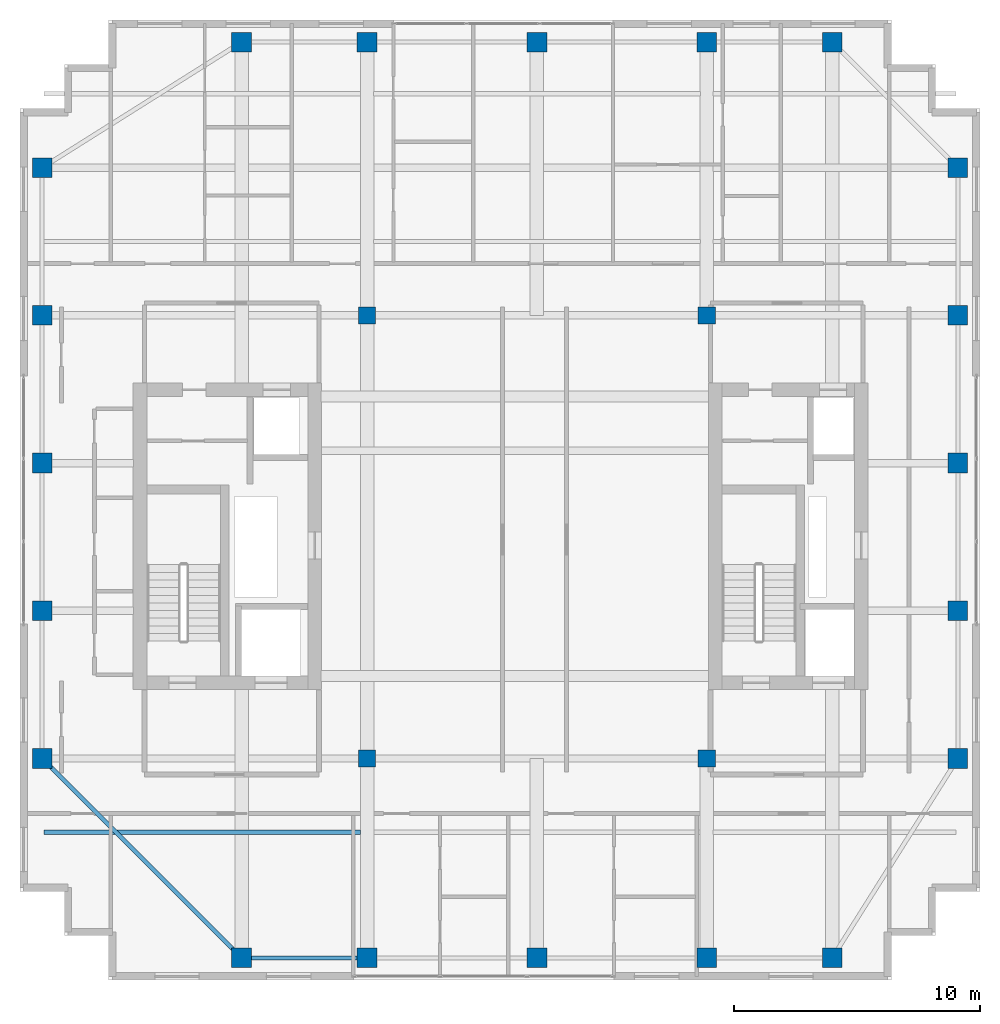
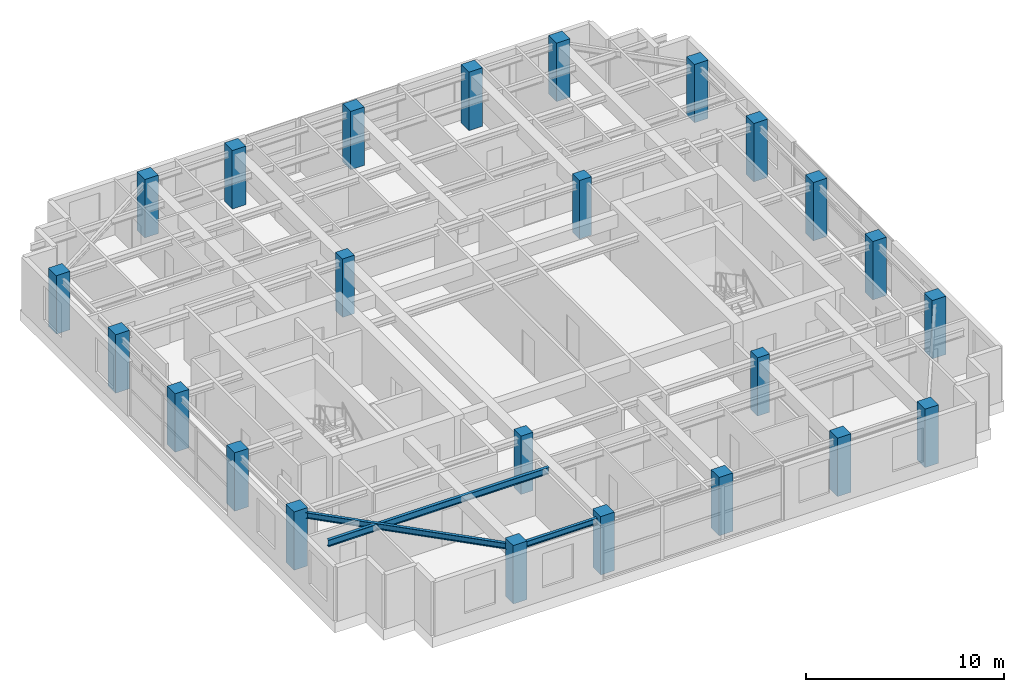
# One storey, part 1 of 21: 24 columns, 3 beams.
"""IFC4 building model written with IfcOpenShell, lengths in metres."""

from ifc_helpers import new_model, si_unit, direction, frame, origin, origin_2d, place, context, subcontext, project, spatial, rectangle, i_section, extrude, source, transform, mapped, material, material_profile, profile_set, type_object, element, save


model = new_model("IFC4")

# Units and contexts
model_context = context("Model", 3, precision=1e-05, world=origin(), true_north=direction((0.0, 1.0)))
body_context = subcontext(model_context, "Body", "Model", "MODEL_VIEW")
ifc_project = project(units=[si_unit("LENGTHUNIT", "METRE"), si_unit("AREAUNIT", "SQUARE_METRE"), si_unit("VOLUMEUNIT", "CUBIC_METRE"), si_unit("PLANEANGLEUNIT", "RADIAN"), si_unit("MASSUNIT", "GRAM", prefix="KILO")], contexts=[model_context])

# Site, building, storey
site_placement = place(None, origin())
site = spatial("IfcSite", under=ifc_project, at=site_placement, CompositionType="ELEMENT")
building_placement = place(site_placement, origin())
building = spatial("IfcBuilding", under=site, at=building_placement, Name="Khoralis Quay Care Tower", CompositionType="ELEMENT")
storey_placement = place(building_placement, frame((0.0, 0.0, 267.300048828125)))
storey = spatial("IfcBuildingStorey", under=building, at=storey_placement, Name="L70", CompositionType="ELEMENT", Elevation=267.300048828125)

# Columns
ifc_material_1 = material(Name="Concrete C50/60", Category="concrete")
ifc_material_profile_1 = material_profile(ifc_material_1, rectangle(XDim=0.800048828125, YDim=0.800048828125, at=origin_2d()), Name="Concrete C50/60")
ifc_profile_set_1 = profile_set([ifc_material_profile_1], Name="Concrete C50/60")
column_type_1 = type_object("IfcColumnType", Name="COL-C800", PredefinedType="COLUMN", material=ifc_profile_set_1)
shared_shape_1 = source(origin(), body_context, "Body", "SweptSolid", [
    extrude(rectangle(XDim=0.800048828125, YDim=0.800048828125, at=origin_2d()), origin(), (0.0, 0.0, 1.0), 3.599853515625),
])
for number, where, z_axis, x_axis, name in (
    (1, (12.0, 3.89990234375, 0.0), (0.0, 0.0, 1.0), (1.0, 0.0, 0.0), "COL-TWR-L70-01"),
    (2, (12.0, 41.10009765625, 0.0), (0.0, 0.0, 1.0), (1.0, 0.0, 0.0), "COL-TWR-L70-02"),
    (3, (17.10009765625, 3.89990234375, 0.0), (0.0, 0.0, 1.0), (1.0, 0.0, 0.0), "COL-TWR-L70-03"),
    (4, (17.10009765625, 41.10009765625, 0.0), (0.0, 0.0, 1.0), (1.0, 0.0, 0.0), "COL-TWR-L70-04"),
    (5, (24.0, 3.89990234375, 0.0), (0.0, 0.0, 1.0), (1.0, 0.0, 0.0), "COL-TWR-L70-05"),
    (6, (24.0, 41.10009765625, 0.0), (0.0, 0.0, 1.0), (1.0, 0.0, 0.0), "COL-TWR-L70-06"),
    (7, (30.89990234375, 3.89990234375, 0.0), (0.0, 0.0, 1.0), (1.0, 0.0, 0.0), "COL-TWR-L70-07"),
    (8, (30.89990234375, 41.10009765625, 0.0), (0.0, 0.0, 1.0), (1.0, 0.0, 0.0), "COL-TWR-L70-08"),
    (9, (36.0, 3.89990234375, 0.0), (0.0, 0.0, 1.0), (1.0, 0.0, 0.0), "COL-TWR-L70-09"),
    (10, (36.0, 41.10009765625, 0.0), (0.0, 0.0, 1.0), (1.0, 0.0, 0.0), "COL-TWR-L70-10"),
    (11, (3.89990234375, 12.0, 0.0), (0.0, 0.0, 1.0), (1.0, 0.0, 0.0), "COL-TWR-L70-11"),
    (12, (41.10009765625, 12.0, 0.0), (0.0, 0.0, 1.0), (1.0, 0.0, 0.0), "COL-TWR-L70-12"),
    (13, (3.89990234375, 18.0, 0.0), (0.0, 0.0, 1.0), (1.0, 0.0, 0.0), "COL-TWR-L70-13"),
    (14, (41.10009765625, 18.0, 0.0), (0.0, 0.0, 1.0), (1.0, 0.0, 0.0), "COL-TWR-L70-14"),
    (15, (3.89990234375, 24.0, 0.0), (0.0, 0.0, 1.0), (1.0, 0.0, 0.0), "COL-TWR-L70-15"),
    (16, (41.10009765625, 24.0, 0.0), (0.0, 0.0, 1.0), (1.0, 0.0, 0.0), "COL-TWR-L70-16"),
    (17, (3.89990234375, 30.0, 0.0), (0.0, 0.0, 1.0), (1.0, 0.0, 0.0), "COL-TWR-L70-17"),
    (18, (41.10009765625, 30.0, 0.0), (0.0, 0.0, 1.0), (1.0, 0.0, 0.0), "COL-TWR-L70-18"),
    (19, (3.89990234375, 36.0, 0.0), (0.0, 0.0, 1.0), (1.0, 0.0, 0.0), "COL-TWR-L70-19"),
    (20, (41.10009765625, 36.0, 0.0), (0.0, 0.0, 1.0), (1.0, 0.0, 0.0), "COL-TWR-L70-20"),
):
    element("IfcColumn", number, at=place(storey_placement, frame(where, z_axis=z_axis, x_axis=x_axis)), inside=storey, type_object=column_type_1, Name=name, PredefinedType="COLUMN", context=body_context, shape_type="MappedRepresentation", body=[
        mapped(shared_shape_1, transform((0.0, 0.0, 0.0), scale=1.0)),
    ])
ifc_material_profile_2 = material_profile(ifc_material_1, rectangle(XDim=0.699951171875, YDim=0.699951171875, at=origin_2d()), Name="Concrete C50/60")
ifc_profile_set_2 = profile_set([ifc_material_profile_2], Name="Concrete C50/60")
column_type_2 = type_object("IfcColumnType", Name="COL-C700", PredefinedType="COLUMN", material=ifc_profile_set_2)
shared_shape_2 = source(origin(), body_context, "Body", "SweptSolid", [
    extrude(rectangle(XDim=0.699951171875, YDim=0.699951171875, at=origin_2d()), origin(), (0.0, 0.0, 1.0), 3.599853515625),
])
for number, where, z_axis, x_axis, name in (
    (21, (17.10009765625, 12.0, 0.0), (0.0, 0.0, 1.0), (1.0, 0.0, 0.0), "COL-TWR-L70-21"),
    (22, (17.10009765625, 30.0, 0.0), (0.0, 0.0, 1.0), (1.0, 0.0, 0.0), "COL-TWR-L70-22"),
    (23, (30.89990234375, 12.0, 0.0), (0.0, 0.0, 1.0), (1.0, 0.0, 0.0), "COL-TWR-L70-23"),
    (24, (30.89990234375, 30.0, 0.0), (0.0, 0.0, 1.0), (1.0, 0.0, 0.0), "COL-TWR-L70-24"),
):
    element("IfcColumn", number, at=place(storey_placement, frame(where, z_axis=z_axis, x_axis=x_axis)), inside=storey, type_object=column_type_2, Name=name, PredefinedType="COLUMN", context=body_context, shape_type="MappedRepresentation", body=[
        mapped(shared_shape_2, transform((0.0, 0.0, 0.0), scale=1.0)),
    ])

# Beams
ifc_material_2 = material(Name="Steel S355", Category="steel")
ifc_material_profile_3 = material_profile(ifc_material_2, i_section(OverallWidth=0.169921875, OverallDepth=0.360107421875, WebThickness=0.008056640625, FlangeThickness=0.0126953125, FilletRadius=0.01806640625, at=origin_2d()), Name="Steel S355")
ifc_profile_set_3 = profile_set([ifc_material_profile_3], Name="Steel S355")
beam_type_1 = type_object("IfcBeamType", Name="BM-IPE360", PredefinedType="SPANDREL", material=ifc_profile_set_3)
shared_shape_3 = source(origin(), body_context, "Body", "SweptSolid", [
    extrude(i_section(OverallWidth=0.169921875, OverallDepth=0.360107421875, WebThickness=0.008056640625, FlangeThickness=0.0126953125, FilletRadius=0.01806640625, at=origin_2d()), origin(), (0.0, 0.0, 1.0), 5.10009765625),
])
beam_1_placement = place(storey_placement, frame((12.0, 3.89990234375, 3.139892578125), z_axis=(1.0, 0.0, 0.0), x_axis=(0.0, 1.0, 0.0)))
element("IfcBeam", 25, at=beam_1_placement, inside=storey, type_object=beam_type_1, Name="BM-TSP-L70-01", PredefinedType="SPANDREL", context=body_context, shape_type="MappedRepresentation", body=[
    mapped(shared_shape_3, transform((0.0, 0.0, 0.0), scale=1.0)),
])
shared_shape_4 = source(origin(), body_context, "Body", "SweptSolid", [
    extrude(i_section(OverallWidth=0.169921875, OverallDepth=0.360107421875, WebThickness=0.008056640625, FlangeThickness=0.0126953125, FilletRadius=0.01806640625, at=origin_2d()), origin(), (0.0, 0.0, 1.0), 11.455322265625),
])
beam_2_placement = place(storey_placement, frame((12.0, 3.89990234375, 3.139892578125), z_axis=(-0.707106781187, 0.707106781187, 0.0), x_axis=(-0.707106781187, -0.707106781187, 0.0)))
element("IfcBeam", 26, at=beam_2_placement, inside=storey, type_object=beam_type_1, Name="BM-TCR-L70-17", PredefinedType="SPANDREL", context=body_context, shape_type="MappedRepresentation", body=[
    mapped(shared_shape_4, transform((0.0, 0.0, 0.0), scale=1.0)),
])
ifc_material_profile_4 = material_profile(ifc_material_2, i_section(OverallWidth=0.177978515625, OverallDepth=0.406982421875, WebThickness=0.0078125, FlangeThickness=0.0126953125, FilletRadius=0.012939453125, at=origin_2d()), Name="Steel S355")
ifc_profile_set_4 = profile_set([ifc_material_profile_4], Name="Steel S355")
beam_type_2 = type_object("IfcBeamType", Name="BM-W410X60", PredefinedType="JOIST", material=ifc_profile_set_4)
shared_shape_5 = source(origin(), body_context, "Body", "SweptSolid", [
    extrude(i_section(OverallWidth=0.177978515625, OverallDepth=0.406982421875, WebThickness=0.0078125, FlangeThickness=0.0126953125, FilletRadius=0.012939453125, at=origin_2d()), origin(), (0.0, 0.0, 1.0), 12.865966796875),
])
beam_3_placement = place(storey_placement, frame((3.970947265625, 9.0, 3.116455078125), z_axis=(1.0, 0.0, 0.0), x_axis=(0.0, 1.0, 0.0)))
element("IfcBeam", 27, at=beam_3_placement, inside=storey, type_object=beam_type_2, Name="BM-TJS-L70-21", PredefinedType="JOIST", context=body_context, shape_type="MappedRepresentation", body=[
    mapped(shared_shape_5, transform((0.0, 0.0, 0.0), scale=1.0)),
])

save(model, "model.ifc")
